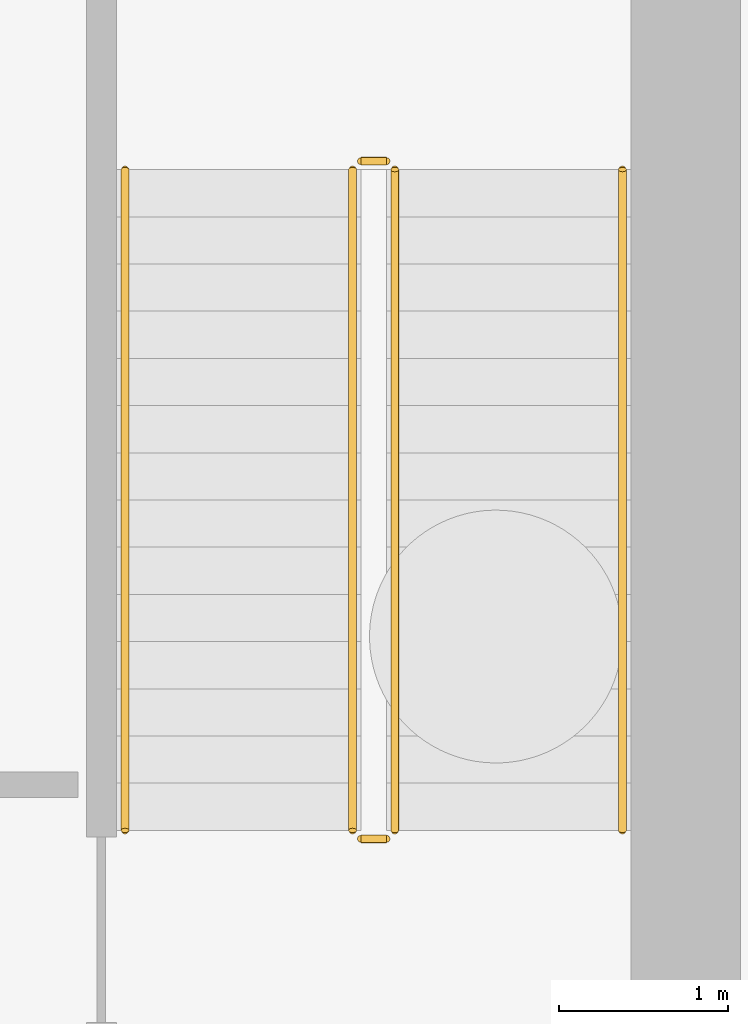
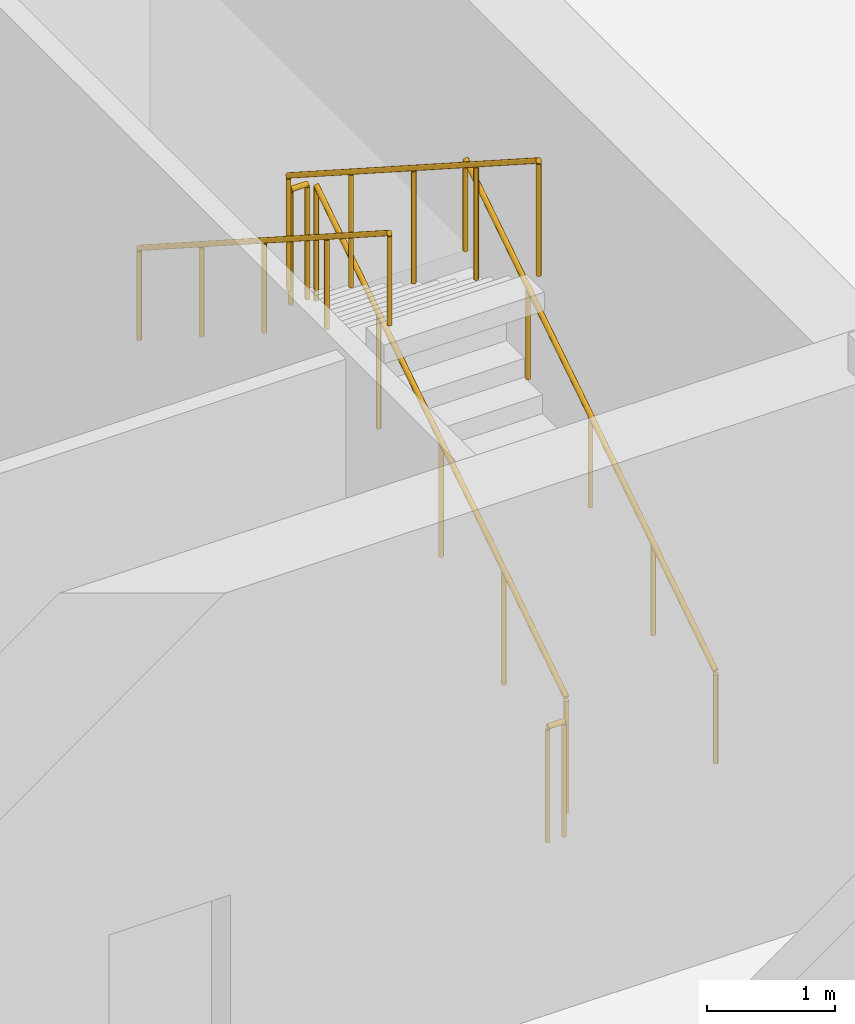
# One storey, part 16 of 18: 6 railings.
"""IFC4 building model written with IfcOpenShell, lengths in metres."""

from ifc_helpers import new_model, si_unit, direction, frame, origin, origin_2d, place, context, subcontext, project, spatial, circle, extrude, material, type_object, element, save


model = new_model("IFC4")

# Units and contexts
model_context = context("Model", 3, precision=1e-05, world=origin(), true_north=direction((0.0, 1.0)))
body_context = subcontext(model_context, "Body", "Model", "MODEL_VIEW")
ifc_project = project(units=[si_unit("LENGTHUNIT", "METRE"), si_unit("AREAUNIT", "SQUARE_METRE"), si_unit("VOLUMEUNIT", "CUBIC_METRE"), si_unit("PLANEANGLEUNIT", "RADIAN"), si_unit("MASSUNIT", "GRAM", prefix="KILO")], contexts=[model_context])

# Site, building, storey
site_placement = place(None, origin())
site = spatial("IfcSite", under=ifc_project, at=site_placement, CompositionType="ELEMENT")
building_placement = place(site_placement, origin())
building = spatial("IfcBuilding", under=site, at=building_placement, Name="Saevonmaru Cultural Tower", CompositionType="ELEMENT")
storey_placement = place(building_placement, frame((0.0, 0.0, -10.800048828125)))
storey = spatial("IfcBuildingStorey", under=building, at=storey_placement, Name="B2", CompositionType="ELEMENT", Elevation=-10.800048828125)

# Railings
ifc_material_1 = material(Name="Architectural Painted Steel", Category="steel")
railing_type_1 = type_object("IfcRailingType", Name="RL-STAIR-GUARD", PredefinedType="GUARDRAIL", material=ifc_material_1)
railing_1_placement = place(storey_placement, frame((44.39990234375, 44.85009765625, 0.179931640625)))
element("IfcRailing", 1, at=railing_1_placement, inside=storey, type_object=railing_type_1, Name="B2 ST-2 stair guard 1", PredefinedType="GUARDRAIL", context=body_context, shape_type="SweptSolid", body=[
    extrude(circle(Radius=0.02392578125, at=origin_2d()), frame((0.0, 0.0, 1.09619140625), z_axis=(0.0, 0.841171666519, 0.540768182723), x_axis=(-1.0, 0.0, 0.0)), (0.0, 0.0, 1.0), 4.66015625),
    extrude(circle(Radius=0.02099609375, at=origin_2d()), origin(), (0.0, 0.0, 1.0), 1.072021484375),
    extrude(circle(Radius=0.02099609375, at=origin_2d()), frame((0.0, 0.97998046875, 0.6298828125)), (0.0, 0.0, 1.0), 1.072021484375),
    extrude(circle(Radius=0.02099609375, at=origin_2d()), frame((0.0, 1.9599609375, 1.260009765625)), (0.0, 0.0, 1.0), 1.072021484375),
    extrude(circle(Radius=0.02099609375, at=origin_2d()), frame((0.0, 2.93994140625, 1.89013671875)), (0.0, 0.0, 1.0), 1.072021484375),
    extrude(circle(Radius=0.02099609375, at=origin_2d()), frame((0.0, 3.919921875, 2.52001953125)), (0.0, 0.0, 1.0), 1.072021484375),
])
railing_2_placement = place(storey_placement, frame((44.35009765625, 48.820068359375, 2.699951171875)))
element("IfcRailing", 2, at=railing_2_placement, inside=storey, type_object=railing_type_1, Name="B2 ST-2 stair guard 2", PredefinedType="GUARDRAIL", context=body_context, shape_type="SweptSolid", body=[
    extrude(circle(Radius=0.02392578125, at=origin_2d()), frame((0.0, 0.0, 1.09619140625), z_axis=(-1.0, 0.0, 0.0), x_axis=(0.0, -1.0, 0.0)), (0.0, 0.0, 1.0), 0.150146484375),
    extrude(circle(Radius=0.02099609375, at=origin_2d()), origin(), (0.0, 0.0, 1.0), 1.072021484375),
    extrude(circle(Radius=0.02099609375, at=origin_2d()), frame((-0.150146484375, 0.0, 0.0)), (0.0, 0.0, 1.0), 1.072021484375),
])
railing_3_placement = place(storey_placement, frame((44.14990234375, 48.77001953125, 2.880126953125)))
element("IfcRailing", 3, at=railing_3_placement, inside=storey, type_object=railing_type_1, Name="B2 ST-2 stair guard 3", PredefinedType="GUARDRAIL", context=body_context, shape_type="SweptSolid", body=[
    extrude(circle(Radius=0.02392578125, at=origin_2d()), frame((0.0, 0.0, 1.09619140625), z_axis=(0.0, -0.841171666519, 0.540768182723), x_axis=(1.0, 0.0, 0.0)), (0.0, 0.0, 1.0), 4.66015625),
    extrude(circle(Radius=0.02099609375, at=origin_2d()), origin(), (0.0, 0.0, 1.0), 1.072021484375),
    extrude(circle(Radius=0.02099609375, at=origin_2d()), frame((0.0, -0.97998046875, 0.6298828125)), (0.0, 0.0, 1.0), 1.072021484375),
    extrude(circle(Radius=0.02099609375, at=origin_2d()), frame((0.0, -1.9599609375, 1.260009765625)), (0.0, 0.0, 1.0), 1.072021484375),
    extrude(circle(Radius=0.02099609375, at=origin_2d()), frame((0.0, -2.93994140625, 1.89013671875)), (0.0, 0.0, 1.0), 1.072021484375),
    extrude(circle(Radius=0.02099609375, at=origin_2d()), frame((0.0, -3.919921875, 2.52001953125)), (0.0, 0.0, 1.0), 1.072021484375),
])
railing_4_placement = place(storey_placement, frame((44.35009765625, 44.800048828125, 0.0)))
element("IfcRailing", 4, at=railing_4_placement, inside=storey, type_object=railing_type_1, Name="B2 ST-2 stair guard 4", PredefinedType="GUARDRAIL", context=body_context, shape_type="SweptSolid", body=[
    extrude(circle(Radius=0.02392578125, at=origin_2d()), frame((0.0, 0.0, 1.09619140625), z_axis=(-1.0, 0.0, 0.0), x_axis=(0.0, -1.0, 0.0)), (0.0, 0.0, 1.0), 0.150146484375),
    extrude(circle(Radius=0.02099609375, at=origin_2d()), origin(), (0.0, 0.0, 1.0), 1.072021484375),
    extrude(circle(Radius=0.02099609375, at=origin_2d()), frame((-0.150146484375, 0.0, 0.0)), (0.0, 0.0, 1.0), 1.072021484375),
])
ifc_material_2 = material(Name="Satin Bronze Anodised Aluminium", Category="aluminium")
railing_type_2 = type_object("IfcRailingType", Name="RL-STAIR-HANDRAIL", PredefinedType="HANDRAIL", material=ifc_material_2)
railing_5_placement = place(storey_placement, frame((45.75, 44.85009765625, 0.179931640625)))
element("IfcRailing", 5, at=railing_5_placement, inside=storey, type_object=railing_type_2, Name="B2 ST-2 stair handrail 1", PredefinedType="HANDRAIL", context=body_context, shape_type="SweptSolid", body=[
    extrude(circle(Radius=0.02392578125, at=origin_2d()), frame((0.0, 0.0, 0.8759765625), z_axis=(0.0, 0.841171666519, 0.540768182723), x_axis=(-1.0, 0.0, 0.0)), (0.0, 0.0, 1.0), 4.66015625),
    extrude(circle(Radius=0.02099609375, at=origin_2d()), origin(), (0.0, 0.0, 1.0), 0.851806640625),
    extrude(circle(Radius=0.02099609375, at=origin_2d()), frame((0.0, 0.97998046875, 0.6298828125)), (0.0, 0.0, 1.0), 0.851806640625),
    extrude(circle(Radius=0.02099609375, at=origin_2d()), frame((0.0, 1.9599609375, 1.260009765625)), (0.0, 0.0, 1.0), 0.851806640625),
    extrude(circle(Radius=0.02099609375, at=origin_2d()), frame((0.0, 2.93994140625, 1.89013671875)), (0.0, 0.0, 1.0), 0.851806640625),
    extrude(circle(Radius=0.02099609375, at=origin_2d()), frame((0.0, 3.919921875, 2.52001953125)), (0.0, 0.0, 1.0), 0.851806640625),
])
railing_6_placement = place(storey_placement, frame((42.800048828125, 48.77001953125, 2.880126953125)))
element("IfcRailing", 6, at=railing_6_placement, inside=storey, type_object=railing_type_2, Name="B2 ST-2 stair handrail 2", PredefinedType="HANDRAIL", context=body_context, shape_type="SweptSolid", body=[
    extrude(circle(Radius=0.02392578125, at=origin_2d()), frame((0.0, 0.0, 0.8759765625), z_axis=(0.0, -0.841171666519, 0.540768182723), x_axis=(1.0, 0.0, 0.0)), (0.0, 0.0, 1.0), 4.66015625),
    extrude(circle(Radius=0.02099609375, at=origin_2d()), origin(), (0.0, 0.0, 1.0), 0.851806640625),
    extrude(circle(Radius=0.02099609375, at=origin_2d()), frame((0.0, -0.97998046875, 0.6298828125)), (0.0, 0.0, 1.0), 0.851806640625),
    extrude(circle(Radius=0.02099609375, at=origin_2d()), frame((0.0, -1.9599609375, 1.260009765625)), (0.0, 0.0, 1.0), 0.851806640625),
    extrude(circle(Radius=0.02099609375, at=origin_2d()), frame((0.0, -2.93994140625, 1.89013671875)), (0.0, 0.0, 1.0), 0.851806640625),
    extrude(circle(Radius=0.02099609375, at=origin_2d()), frame((0.0, -3.919921875, 2.52001953125)), (0.0, 0.0, 1.0), 0.851806640625),
])

save(model, "model.ifc")
